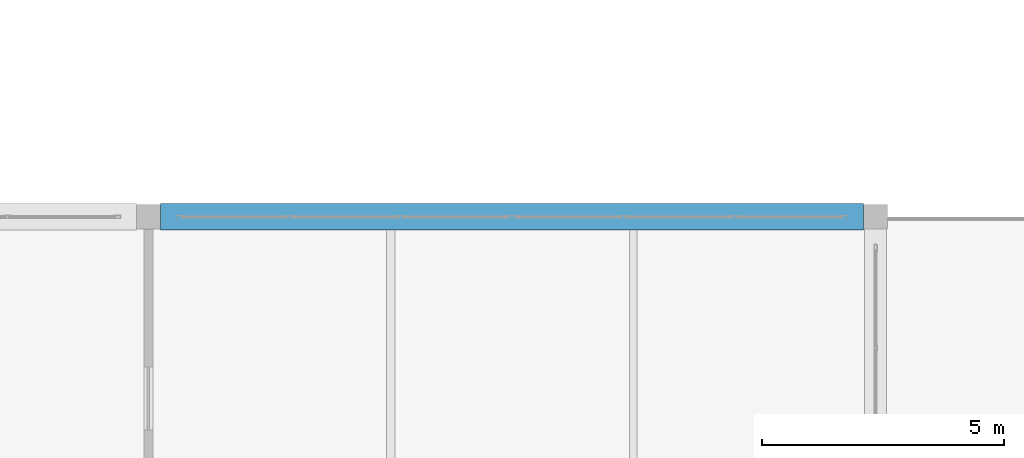
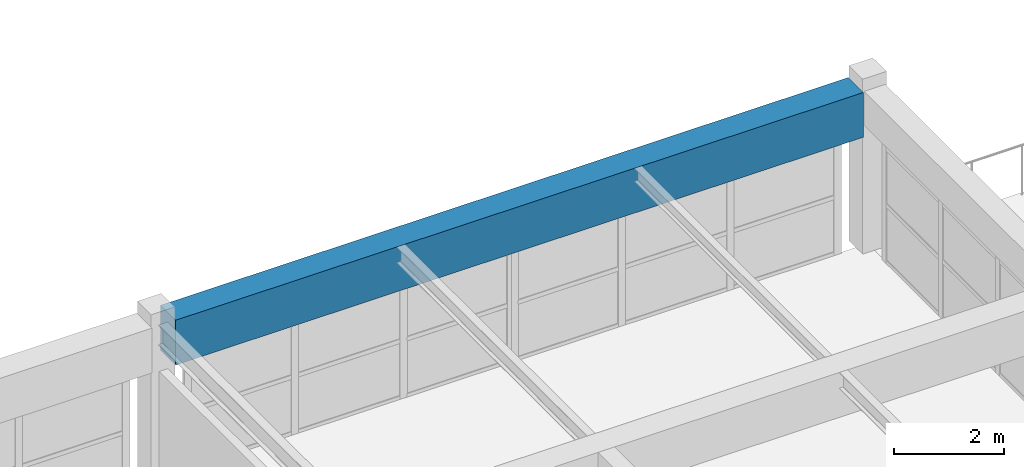
# One storey, part 20 of 82: 1 beam.
"""IFC4 building model written with IfcOpenShell, lengths in metres."""

from ifc_helpers import new_model, si_unit, direction, frame, origin, origin_2d, place, context, subcontext, project, spatial, rectangle, extrude, material, material_profile, profile_set, type_object, element, save


model = new_model("IFC4")

# Units and contexts
model_context = context("Model", 3, precision=1e-05, world=origin(), true_north=direction((0.0, 1.0)))
body_context = subcontext(model_context, "Body", "Model", "MODEL_VIEW")
ifc_project = project(units=[si_unit("LENGTHUNIT", "METRE"), si_unit("AREAUNIT", "SQUARE_METRE"), si_unit("VOLUMEUNIT", "CUBIC_METRE"), si_unit("PLANEANGLEUNIT", "RADIAN"), si_unit("MASSUNIT", "GRAM", prefix="KILO")], contexts=[model_context])

# Site, building, storey
site_placement = place(None, origin())
site = spatial("IfcSite", under=ifc_project, at=site_placement, CompositionType="ELEMENT")
building_placement = place(site_placement, origin())
building = spatial("IfcBuilding", under=site, at=building_placement, Name="Qasida Concert Hall", CompositionType="ELEMENT")
storey_placement = place(building_placement, frame((0.0, 0.0, 17.10009765625)))
storey = spatial("IfcBuildingStorey", under=building, at=storey_placement, Name="L04", CompositionType="ELEMENT", Elevation=17.10009765625)

# Beam
ifc_material = material(Name="Concrete C40/50", Category="concrete")
ifc_material_profile = material_profile(ifc_material, rectangle(XDim=0.550048828125, YDim=1.0, at=origin_2d()), Name="RC 550x1000")
ifc_profile_set = profile_set([ifc_material_profile], Name="Concrete C40/50")
beam_type = type_object("IfcBeamType", Name="BM-G3", PredefinedType="USERDEFINED", material=ifc_profile_set)
beam_placement = place(storey_placement, frame((15.25, 52.5, 3.119873046875), z_axis=(1.0, 0.0, 0.0), x_axis=(0.0, 1.0, 0.0)))
element("IfcBeam", 1, at=beam_placement, inside=storey, type_object=beam_type, Name="Primary girder 1902", ObjectType="GIRDER", PredefinedType="USERDEFINED", context=body_context, shape_type="SweptSolid", body=[
    extrude(rectangle(XDim=0.550048828125, YDim=1.0, at=origin_2d()), origin(), (0.0, 0.0, 1.0), 14.5),
])

save(model, "model.ifc")
